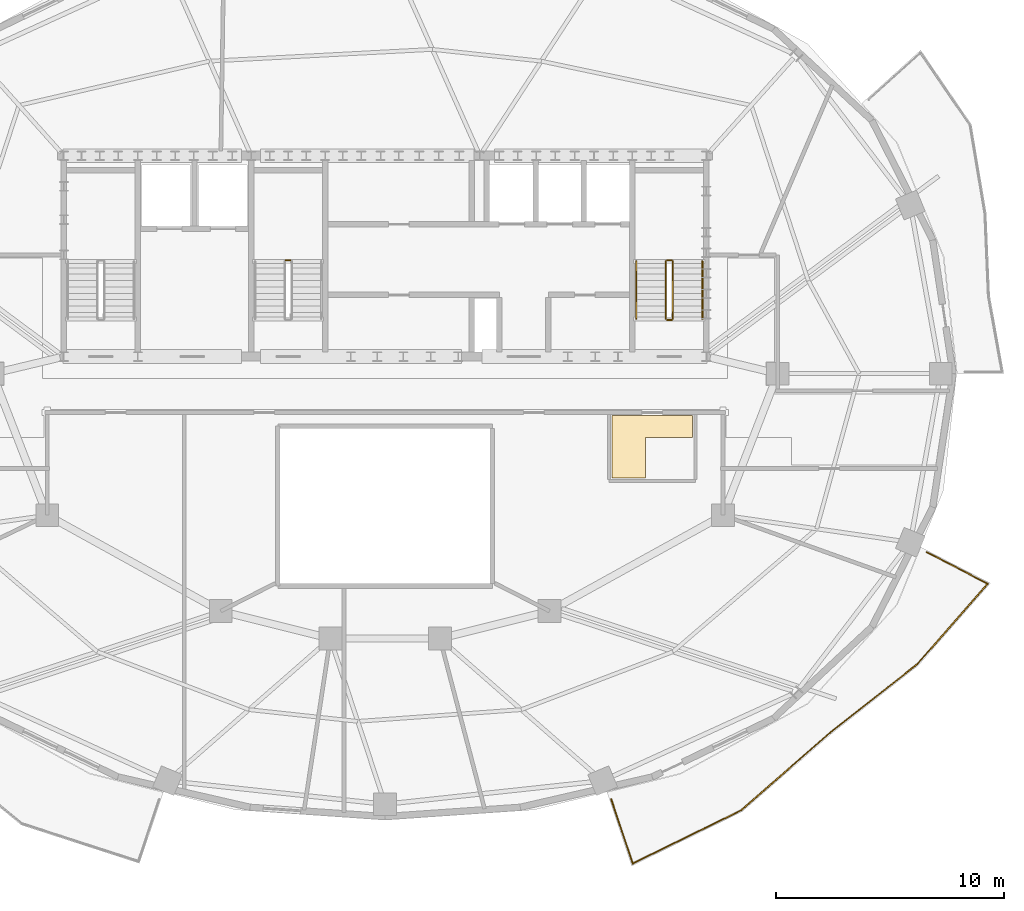
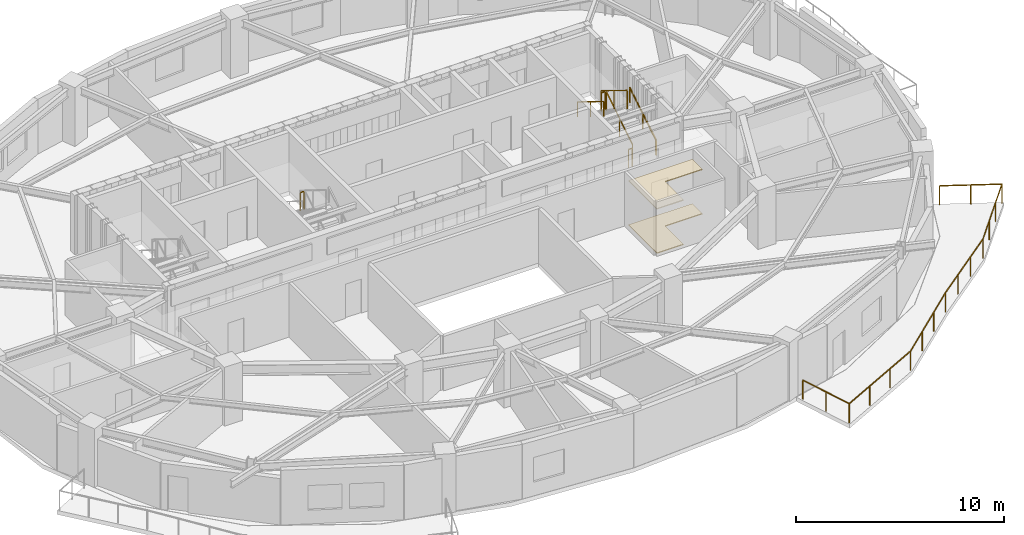
# One storey, part 8 of 9: 8 railings, 2 coverings.
"""IFC4 building model written with IfcOpenShell, lengths in metres."""

import ifcopenshell
import ifcopenshell.guid

model = None  # the IFC model being written
_history = None  # IfcOwnerHistory: only IFC2X3 demands one
_inside = {}  # id of a spatial element -> (the spatial element, [elements in it])
_under = {}  # id of a project, library or spatial element -> (it, [spatial elements below it])
_declared = {}  # id of a project -> (the project, [libraries it declares])
_typed = {}  # id of a type object -> (the type object, [elements of that type])
_made_of = {}  # id of a material, layer set ... -> (it, [elements and type objects made of it])


def new_model(schema):
    """Start an empty IFC model of exactly this schema.

    Asked for "IFC4X3", IfcOpenShell would pick the latest addendum, in which some entities
    have other attributes; the version numbers below select the first issue.
    IFC2X3 requires an IfcOwnerHistory on every rooted entity: one is made here for all.
    """
    global model, _history
    if schema == "IFC4X3":
        model = ifcopenshell.file(schema_version=(4, 3, 0, 0))
    else:
        model = ifcopenshell.file(schema=schema)
    _inside.clear()
    _under.clear()
    _declared.clear()
    _typed.clear()
    _made_of.clear()
    _history = None
    if model.schema == "IFC2X3":
        org = make("IfcOrganization", Name="unknown")
        user = make(
            "IfcPersonAndOrganization",
            ThePerson=make("IfcPerson", FamilyName="unknown"),
            TheOrganization=org,
        )
        app = make(
            "IfcApplication",
            ApplicationDeveloper=org,
            Version="unknown",
            ApplicationFullName="unknown",
            ApplicationIdentifier="unknown",
        )
        _history = make(
            "IfcOwnerHistory",
            OwningUser=user,
            OwningApplication=app,
            ChangeAction="ADDED",
            CreationDate=0,
        )
    return model


def make(cls, **values):
    """One entity of the class cls with the attributes given. An attribute that is None is left unset."""
    return model.create_entity(
        cls, **{name: value for name, value in values.items() if value is not None}
    )


def rooted(cls, **values):
    """An entity with a GlobalId (a new one), such as an element, a storey or a relation."""
    return make(cls, GlobalId=ifcopenshell.guid.new(), OwnerHistory=_history, **values)


def si_unit(unit_type, name, prefix=None):
    """IfcSIUnit, for example si_unit("LENGTHUNIT", "METRE", prefix="MILLI")."""
    return make("IfcSIUnit", UnitType=unit_type, Prefix=prefix, Name=name)


def assignment(units):
    """IfcUnitAssignment: the units of a project."""
    return None if units is None else make("IfcUnitAssignment", Units=units)


def point(xyz):
    """IfcCartesianPoint."""
    return None if xyz is None else make("IfcCartesianPoint", Coordinates=xyz)


def direction(xyz):
    """IfcDirection."""
    return None if xyz is None else make("IfcDirection", DirectionRatios=xyz)


def frame(location, z_axis=None, x_axis=None):
    """IfcAxis2Placement3D, a coordinate frame: its origin and axes. An axis left out is left unset."""
    return make(
        "IfcAxis2Placement3D",
        Location=point(location),
        Axis=direction(z_axis),
        RefDirection=direction(x_axis),
    )


def frame_2d(location, x_axis=None):
    """IfcAxis2Placement2D, a coordinate frame in the plane: its origin and x axis."""
    return make(
        "IfcAxis2Placement2D", Location=point(location), RefDirection=direction(x_axis)
    )


def origin():
    """The frame at (0, 0, 0) with its axes left unset."""
    return frame((0.0, 0.0, 0.0))


def origin_2d():
    """The frame at (0, 0) in the plane with its x axis left unset."""
    return frame_2d((0.0, 0.0))


def place(relative_to, where):
    """IfcLocalPlacement: puts the frame where relative to a parent placement (None: the world)."""
    return make(
        "IfcLocalPlacement", PlacementRelTo=relative_to, RelativePlacement=where
    )


def context(
    kind, dimensions, precision=None, world=None, true_north=None, identifier=None
):
    """IfcGeometricRepresentationContext, for example the 3D "Model" context."""
    return make(
        "IfcGeometricRepresentationContext",
        ContextIdentifier=identifier,
        ContextType=kind,
        CoordinateSpaceDimension=dimensions,
        Precision=precision,
        WorldCoordinateSystem=world,
        TrueNorth=true_north,
    )


def subcontext(parent, identifier, kind, view, scale=None):
    """IfcGeometricRepresentationSubContext, for example "Body" below "Model"."""
    return make(
        "IfcGeometricRepresentationSubContext",
        ContextIdentifier=identifier,
        ContextType=kind,
        ParentContext=parent,
        TargetScale=scale,
        TargetView=view,
    )


def project(units=None, contexts=None):
    """IfcProject with its units and contexts."""
    return rooted(
        "IfcProject",
        Name="project",
        RepresentationContexts=contexts,
        UnitsInContext=assignment(units),
    )


def spatial(cls, under=None, at=None, **own):
    """A site, building, storey or space (cls), placed at a placement, below another one or the project."""
    s = rooted(cls, ObjectPlacement=at, **own)
    if under is not None:
        _under.setdefault(under.id(), (under, []))[1].append(s)
    return s


def polyline(points):
    """IfcPolyline through the points."""
    return make("IfcPolyline", Points=[point(p) for p in points])


def profile(cls, at=None, kind="AREA", **sizes):
    """A parametric profile (cls). Its sizes go by their IFC names, for example OverallWidth=200.0."""
    return make(cls, ProfileType=kind, Position=at, **sizes)


def rectangle(**sizes):
    """IfcRectangleProfileDef."""
    return profile("IfcRectangleProfileDef", **sizes)


def outline(outer, holes=None, kind="AREA"):
    """IfcArbitraryClosedProfileDef: a profile drawn as a closed curve; with holes, ...WithVoids."""
    if holes is None:
        return make("IfcArbitraryClosedProfileDef", ProfileType=kind, OuterCurve=outer)
    return make(
        "IfcArbitraryProfileDefWithVoids",
        ProfileType=kind,
        OuterCurve=outer,
        InnerCurves=holes,
    )


def extrude(swept, where, along, depth):
    """IfcExtrudedAreaSolid: the profile swept, set in the frame where, extruded along a direction by depth."""
    return make(
        "IfcExtrudedAreaSolid",
        SweptArea=swept,
        Position=where,
        ExtrudedDirection=direction(along),
        Depth=depth,
    )


def shape(context_of_items, identifier, shape_type, items):
    """IfcShapeRepresentation: the items that make up one representation, for example the "Body"."""
    return make(
        "IfcShapeRepresentation",
        ContextOfItems=context_of_items,
        RepresentationIdentifier=identifier,
        RepresentationType=shape_type,
        Items=items,
    )


def material(Name=None, Category=None):
    """IfcMaterial."""
    return make("IfcMaterial", Name=Name, Category=Category)


def layer(
    of_material, thickness, ventilated=None, Name=None, Category=None, Priority=None
):
    """IfcMaterialLayer: one layer of a wall or slab, of a material (None: an air gap)."""
    return make(
        "IfcMaterialLayer",
        Material=of_material,
        LayerThickness=thickness,
        IsVentilated=ventilated,
        Name=Name,
        Category=Category,
        Priority=Priority,
    )


def layer_set(layers, Name=None):
    """IfcMaterialLayerSet."""
    return make("IfcMaterialLayerSet", MaterialLayers=layers, LayerSetName=Name)


def made_of(thing, what):
    """Note that an element or type object is made of a material, layer set ...; save() writes the relation."""
    if what is not None:
        _made_of.setdefault(what.id(), (what, []))[1].append(thing)
    return thing


def type_object(cls, material=None, **own):
    """A type object (cls), such as IfcWallType, which elements share."""
    return made_of(rooted(cls, **own), material)


def element(
    cls,
    number,
    at=None,
    inside=None,
    cuts=None,
    type_object=None,
    material=None,
    context=None,
    identifier="Body",
    shape_type=None,
    held_by="IfcProductDefinitionShape",
    body=None,
    shapes=None,
    **own,
):
    """One element of the class cls, such as IfcWall. Its Tag is "e" and its number.

    at: its placement. inside: the storey or other place that contains it. cuts: it is an
    opening in that element (IfcRelVoidsElement). A single representation is given by context,
    identifier, shape_type and body (its items); several are given by shapes. held_by: the class
    of the entity that holds the representations. save() writes the other relations.
    """
    e = rooted(cls, Tag="e%d" % number, ObjectPlacement=at, **own)
    if body is not None:
        shapes = [shape(context, identifier, shape_type, body)]
    if shapes is not None:
        e.Representation = make(held_by, Representations=shapes)
    if inside is not None:
        _inside.setdefault(inside.id(), (inside, []))[1].append(e)
    if cuts is not None:
        rooted(
            "IfcRelVoidsElement", RelatingBuildingElement=cuts, RelatedOpeningElement=e
        )
    if type_object is not None:
        _typed.setdefault(type_object.id(), (type_object, []))[1].append(e)
    return made_of(e, material)


def aggregate(whole, parts):
    """IfcRelAggregates: a whole, such as a stair, and the parts it consists of."""
    return rooted("IfcRelAggregates", RelatingObject=whole, RelatedObjects=parts)


def save(model, path):
    """Write the relations noted so far, then the file.

    IfcRelAggregates (storeys below a building ...), IfcRelContainedInSpatialStructure (elements
    in a storey), IfcRelDefinesByType, IfcRelAssociatesMaterial and IfcRelDeclares: one each for
    every whole, place, type object, material and project.
    """
    for whole, parts in _under.values():
        aggregate(whole, parts)
    for where, things in _inside.values():
        rooted(
            "IfcRelContainedInSpatialStructure",
            RelatedElements=things,
            RelatingStructure=where,
        )
    for kind, things in _typed.values():
        rooted("IfcRelDefinesByType", RelatedObjects=things, RelatingType=kind)
    for what, things in _made_of.values():
        rooted("IfcRelAssociatesMaterial", RelatedObjects=things, RelatingMaterial=what)
    for by, libraries in _declared.values():
        rooted("IfcRelDeclares", RelatingContext=by, RelatedDefinitions=libraries)
    model.write(path)


model = new_model("IFC4")

# Units and contexts
model_context = context("Model", 3, precision=1e-05, world=origin(), true_north=direction((0.0, 1.0)))
body_context = subcontext(model_context, "Body", "Model", "MODEL_VIEW")
ifc_project = project(units=[si_unit("LENGTHUNIT", "METRE"), si_unit("AREAUNIT", "SQUARE_METRE"), si_unit("VOLUMEUNIT", "CUBIC_METRE"), si_unit("PLANEANGLEUNIT", "RADIAN"), si_unit("MASSUNIT", "GRAM", prefix="KILO")], contexts=[model_context])

# Site, building, storey
site_placement = place(None, origin())
site = spatial("IfcSite", under=ifc_project, at=site_placement, CompositionType="ELEMENT")
building_placement = place(site_placement, origin())
building = spatial("IfcBuilding", under=site, at=building_placement, Name="Haldorwick Loom Tower", CompositionType="ELEMENT")
storey_placement = place(building_placement, frame((0.0, 0.0, 252.300048828125)))
storey = spatial("IfcBuildingStorey", under=building, at=storey_placement, Name="L68", CompositionType="ELEMENT", Elevation=252.300048828125)

# Coverings
ifc_material_1 = material(Name="Mineral Fibre Acoustic Ceiling Tile")
ifc_layer_1 = layer(ifc_material_1, 0.054931640625, Name="Mineral Fibre Acoustic Ceiling Tile")
ifc_layer_set_1 = layer_set([ifc_layer_1], Name="Mineral Fibre Acoustic Ceiling Tile")
covering_type_1 = type_object("IfcCoveringType", Name="ARC-COV-CEIL2", PredefinedType="CEILING", material=ifc_layer_set_1)
covering_1_placement = place(storey_placement, frame((0.0, 0.0, 2.594970703125)))
element("IfcCovering", 1, at=covering_1_placement, inside=storey, type_object=covering_type_1, Name="L68 Acoustic Suspended Ceiling 2", PredefinedType="CEILING", context=body_context, shape_type="SweptSolid", body=[
    extrude(outline(polyline([(45.929931640625, 21.429931640625), (47.39990234375, 21.429931640625), (47.39990234375, 23.199951171875), (49.469970703125, 23.199951171875), (49.469970703125, 24.159912109375), (45.929931640625, 24.159912109375), (45.929931640625, 21.429931640625)])), origin(), (0.0, 0.0, 1.0), 0.054931640625),
])
ifc_material_2 = material(Name="Polished Aggregate Terrazzo Finish")
ifc_layer_2 = layer(ifc_material_2, 0.044921875, Name="Polished Aggregate Terrazzo Finish")
ifc_layer_set_2 = layer_set([ifc_layer_2], Name="Polished Aggregate Terrazzo Finish")
covering_type_2 = type_object("IfcCoveringType", Name="ARC-COV-FLOOR2", PredefinedType="FLOORING", material=ifc_layer_set_2)
covering_2_placement = place(storey_placement, origin())
element("IfcCovering", 2, at=covering_2_placement, inside=storey, type_object=covering_type_2, Name="L68 Floor Finish 2", PredefinedType="FLOORING", context=body_context, shape_type="SweptSolid", body=[
    extrude(outline(polyline([(45.929931640625, 21.429931640625), (47.39990234375, 21.429931640625), (47.39990234375, 23.199951171875), (49.469970703125, 23.199951171875), (49.469970703125, 24.159912109375), (45.929931640625, 24.159912109375), (45.929931640625, 21.429931640625)])), origin(), (0.0, 0.0, 1.0), 0.044921875),
])

# Railings
ifc_material_3 = material(Name="Galvanized Steel CSA G40.21 350W", Category="steel")
railing_type_1 = type_object("IfcRailingType", Name="ARC-RLG-BAL115", PredefinedType="BALUSTRADE", material=ifc_material_3)
railing_1_placement = place(storey_placement, frame((59.727783203125, 18.17724609375, 0.0)))
element("IfcRailing", 3, at=railing_1_placement, inside=storey, type_object=railing_type_1, Name="L68 Outdoor Terrace Guardrail SLB-L68-BAL_SE-1", PredefinedType="BALUSTRADE", context=body_context, shape_type="SweptSolid", body=[
    extrude(rectangle(XDim=0.048095703125, YDim=0.048095703125, at=origin_2d()), frame((0.0, 0.0, 1.1259765625), z_axis=(0.888528692081, -0.458821058093, 0.0), x_axis=(0.458821058093, 0.888528692081, 0.0)), (0.0, 0.0, 1.0), 3.002197265625),
    extrude(rectangle(XDim=0.048095703125, YDim=0.048095703125, at=origin_2d()), frame((2.66748046875, -1.37744140625, 1.1259765625), z_axis=(-0.658947524651, -0.75218891228, 0.0), x_axis=(0.75218891228, -0.658947524651, 0.0)), (0.0, 0.0, 1.0), 4.681640625),
    extrude(rectangle(XDim=0.048095703125, YDim=0.048095703125, at=origin_2d()), frame((-0.41748046875, -4.89892578125, 1.1259765625), z_axis=(-0.786142130795, -0.618045750887, 0.0), x_axis=(0.618045750887, -0.786142130795, 0.0)), (0.0, 0.0, 1.0), 4.856689453125),
    extrude(rectangle(XDim=0.048095703125, YDim=0.048095703125, at=origin_2d()), frame((-4.235595703125, -7.900634765625, 1.1259765625), z_axis=(-0.763386285369, -0.645942241466, 0.0), x_axis=(0.645942241466, -0.763386285369, 0.0)), (0.0, 0.0, 1.0), 0.004150390625),
    extrude(rectangle(XDim=0.048095703125, YDim=0.048095703125, at=origin_2d()), frame((-4.23876953125, -7.9033203125, 1.1259765625), z_axis=(-0.753589494312, -0.657345323299, 0.0), x_axis=(0.657345323299, -0.753589494312, 0.0)), (0.0, 0.0, 1.0), 5.162109375),
    extrude(rectangle(XDim=0.048095703125, YDim=0.048095703125, at=origin_2d()), frame((-8.12890625, -11.296630859375, 1.1259765625), z_axis=(-0.897365820066, -0.441287417652, 0.0), x_axis=(0.441287417652, -0.897365820066, 0.0)), (0.0, 0.0, 1.0), 5.29833984375),
    extrude(rectangle(XDim=0.048095703125, YDim=0.048095703125, at=origin_2d()), frame((-12.883544921875, -13.634765625, 1.1259765625), z_axis=(-0.316571845047, 0.948568535702, 0.0), x_axis=(-0.948568535702, -0.316571845047, 0.0)), (0.0, 0.0, 1.0), 2.97998046875),
    extrude(rectangle(XDim=0.0419921875, YDim=0.0419921875, at=origin_2d()), origin(), (0.0, 0.0, 1.0), 1.101806640625),
    extrude(rectangle(XDim=0.0419921875, YDim=0.0419921875, at=origin_2d()), frame((1.333740234375, -0.688720703125, 0.0)), (0.0, 0.0, 1.0), 1.101806640625),
    extrude(rectangle(XDim=0.0419921875, YDim=0.0419921875, at=origin_2d()), frame((2.66748046875, -1.37744140625, 0.0)), (0.0, 0.0, 1.0), 1.101806640625),
    extrude(rectangle(XDim=0.0419921875, YDim=0.0419921875, at=origin_2d()), frame((1.63916015625, -2.55126953125, 0.0)), (0.0, 0.0, 1.0), 1.101806640625),
    extrude(rectangle(XDim=0.0419921875, YDim=0.0419921875, at=origin_2d()), frame((0.61083984375, -3.72509765625, 0.0)), (0.0, 0.0, 1.0), 1.101806640625),
    extrude(rectangle(XDim=0.0419921875, YDim=0.0419921875, at=origin_2d()), frame((-0.41748046875, -4.89892578125, 0.0)), (0.0, 0.0, 1.0), 1.101806640625),
    extrude(rectangle(XDim=0.0419921875, YDim=0.0419921875, at=origin_2d()), frame((-1.690185546875, -5.8994140625, 0.0)), (0.0, 0.0, 1.0), 1.101806640625),
    extrude(rectangle(XDim=0.0419921875, YDim=0.0419921875, at=origin_2d()), frame((-2.962890625, -6.900146484375, 0.0)), (0.0, 0.0, 1.0), 1.101806640625),
    extrude(rectangle(XDim=0.0419921875, YDim=0.0419921875, at=origin_2d()), frame((-4.235595703125, -7.900634765625, 0.0)), (0.0, 0.0, 1.0), 1.101806640625),
    extrude(rectangle(XDim=0.0419921875, YDim=0.0419921875, at=origin_2d()), frame((-5.535400390625, -9.034423828125, 0.0)), (0.0, 0.0, 1.0), 1.101806640625),
    extrude(rectangle(XDim=0.0419921875, YDim=0.0419921875, at=origin_2d()), frame((-6.832275390625, -10.16552734375, 0.0)), (0.0, 0.0, 1.0), 1.101806640625),
    extrude(rectangle(XDim=0.0419921875, YDim=0.0419921875, at=origin_2d()), frame((-8.12890625, -11.296630859375, 0.0)), (0.0, 0.0, 1.0), 1.101806640625),
    extrude(rectangle(XDim=0.0419921875, YDim=0.0419921875, at=origin_2d()), frame((-9.7138671875, -12.075927734375, 0.0)), (0.0, 0.0, 1.0), 1.101806640625),
    extrude(rectangle(XDim=0.0419921875, YDim=0.0419921875, at=origin_2d()), frame((-11.298583984375, -12.85546875, 0.0)), (0.0, 0.0, 1.0), 1.101806640625),
    extrude(rectangle(XDim=0.0419921875, YDim=0.0419921875, at=origin_2d()), frame((-12.883544921875, -13.634765625, 0.0)), (0.0, 0.0, 1.0), 1.101806640625),
    extrude(rectangle(XDim=0.0419921875, YDim=0.0419921875, at=origin_2d()), frame((-13.355224609375, -12.221435546875, 0.0)), (0.0, 0.0, 1.0), 1.101806640625),
    extrude(rectangle(XDim=0.0419921875, YDim=0.0419921875, at=origin_2d()), frame((-13.826904296875, -10.80810546875, 0.0)), (0.0, 0.0, 1.0), 1.101806640625),
])
ifc_material_4 = material(Name="Steel CSA G40.21 350W", Category="steel")
railing_type_2 = type_object("IfcRailingType", Name="ARC-RLG-GUARD112", PredefinedType="GUARDRAIL", material=ifc_material_4)
railing_2_placement = place(storey_placement, frame((48.60009765625, 28.39990234375, 0.17236328125)))
element("IfcRailing", 4, at=railing_2_placement, inside=storey, type_object=railing_type_2, Name="L68 ST-02 stair guard 1", PredefinedType="GUARDRAIL", context=body_context, shape_type="SweptSolid", body=[
    extrude(rectangle(XDim=0.048095703125, YDim=0.048095703125, at=origin_2d()), frame((0.0, 0.0, 1.076171875), z_axis=(0.0, 0.851400495292, 0.524516154772), x_axis=(-1.0, 0.0, 0.0)), (0.0, 0.0, 1.0), 2.9599609375),
    extrude(rectangle(XDim=0.0419921875, YDim=0.0419921875, at=origin_2d()), origin(), (0.0, 0.0, 1.0), 1.052001953125),
    extrude(rectangle(XDim=0.0419921875, YDim=0.0419921875, at=origin_2d()), frame((0.0, 1.260009765625, 0.7763671875)), (0.0, 0.0, 1.0), 1.052001953125),
    extrude(rectangle(XDim=0.0419921875, YDim=0.0419921875, at=origin_2d()), frame((0.0, 2.52001953125, 1.552490234375)), (0.0, 0.0, 1.0), 1.052001953125),
])
railing_3_placement = place(storey_placement, frame((48.550048828125, 30.969970703125, 1.724853515625)))
element("IfcRailing", 5, at=railing_3_placement, inside=storey, type_object=railing_type_2, Name="L68 ST-02 stair guard 2", PredefinedType="GUARDRAIL", context=body_context, shape_type="SweptSolid", body=[
    extrude(rectangle(XDim=0.048095703125, YDim=0.048095703125, at=origin_2d()), frame((0.0, 0.0, 1.076171875), z_axis=(-1.0, 0.0, 0.0), x_axis=(0.0, -1.0, 0.0)), (0.0, 0.0, 1.0), 0.199951171875),
    extrude(rectangle(XDim=0.0419921875, YDim=0.0419921875, at=origin_2d()), origin(), (0.0, 0.0, 1.0), 1.052001953125),
    extrude(rectangle(XDim=0.0419921875, YDim=0.0419921875, at=origin_2d()), frame((-0.199951171875, 0.0, 0.0)), (0.0, 0.0, 1.0), 1.052001953125),
])
railing_4_placement = place(storey_placement, frame((48.300048828125, 30.919921875, 1.8974609375)))
element("IfcRailing", 6, at=railing_4_placement, inside=storey, type_object=railing_type_2, Name="L68 ST-02 stair guard 3", PredefinedType="GUARDRAIL", context=body_context, shape_type="SweptSolid", body=[
    extrude(rectangle(XDim=0.048095703125, YDim=0.048095703125, at=origin_2d()), frame((0.0, 0.0, 1.076171875), z_axis=(0.0, -0.851400495292, 0.524516154772), x_axis=(1.0, 0.0, 0.0)), (0.0, 0.0, 1.0), 2.9599609375),
    extrude(rectangle(XDim=0.0419921875, YDim=0.0419921875, at=origin_2d()), origin(), (0.0, 0.0, 1.0), 1.052001953125),
    extrude(rectangle(XDim=0.0419921875, YDim=0.0419921875, at=origin_2d()), frame((0.0, -1.260009765625, 0.7763671875)), (0.0, 0.0, 1.0), 1.052001953125),
    extrude(rectangle(XDim=0.0419921875, YDim=0.0419921875, at=origin_2d()), frame((0.0, -2.52001953125, 1.552490234375)), (0.0, 0.0, 1.0), 1.052001953125),
])
railing_5_placement = place(storey_placement, frame((48.550048828125, 28.35009765625, 0.0)))
element("IfcRailing", 7, at=railing_5_placement, inside=storey, type_object=railing_type_2, Name="L68 ST-02 stair guard 4", PredefinedType="GUARDRAIL", context=body_context, shape_type="SweptSolid", body=[
    extrude(rectangle(XDim=0.048095703125, YDim=0.048095703125, at=origin_2d()), frame((0.0, 0.0, 1.076171875), z_axis=(-1.0, 0.0, 0.0), x_axis=(0.0, -1.0, 0.0)), (0.0, 0.0, 1.0), 0.199951171875),
    extrude(rectangle(XDim=0.0419921875, YDim=0.0419921875, at=origin_2d()), origin(), (0.0, 0.0, 1.0), 1.052001953125),
    extrude(rectangle(XDim=0.0419921875, YDim=0.0419921875, at=origin_2d()), frame((-0.199951171875, 0.0, 0.0)), (0.0, 0.0, 1.0), 1.052001953125),
])
railing_6_placement = place(storey_placement, frame((31.85009765625, 30.969970703125, 1.724853515625)))
element("IfcRailing", 8, at=railing_6_placement, inside=storey, type_object=railing_type_2, Name="L68 ST-03 stair guard 2", PredefinedType="GUARDRAIL", context=body_context, shape_type="SweptSolid", body=[
    extrude(rectangle(XDim=0.048095703125, YDim=0.048095703125, at=origin_2d()), frame((0.0, 0.0, 1.076171875), z_axis=(-1.0, 0.0, 0.0), x_axis=(0.0, -1.0, 0.0)), (0.0, 0.0, 1.0), 0.2001953125),
    extrude(rectangle(XDim=0.0419921875, YDim=0.0419921875, at=origin_2d()), origin(), (0.0, 0.0, 1.0), 1.052001953125),
    extrude(rectangle(XDim=0.0419921875, YDim=0.0419921875, at=origin_2d()), frame((-0.2001953125, 0.0, 0.0)), (0.0, 0.0, 1.0), 1.052001953125),
])
railing_type_3 = type_object("IfcRailingType", Name="ARC-RLG-HAND092", PredefinedType="HANDRAIL", material=ifc_material_4)
railing_7_placement = place(storey_placement, frame((49.89990234375, 28.39990234375, 0.17236328125)))
element("IfcRailing", 9, at=railing_7_placement, inside=storey, type_object=railing_type_3, Name="L68 ST-02 stair handrail 1", PredefinedType="HANDRAIL", context=body_context, shape_type="SweptSolid", body=[
    extrude(rectangle(XDim=0.048095703125, YDim=0.048095703125, at=origin_2d()), frame((0.0, 0.0, 0.8759765625), z_axis=(0.0, 0.851400495292, 0.524516154772), x_axis=(-1.0, 0.0, 0.0)), (0.0, 0.0, 1.0), 2.9599609375),
    extrude(rectangle(XDim=0.0419921875, YDim=0.0419921875, at=origin_2d()), origin(), (0.0, 0.0, 1.0), 0.851806640625),
    extrude(rectangle(XDim=0.0419921875, YDim=0.0419921875, at=origin_2d()), frame((0.0, 1.260009765625, 0.7763671875)), (0.0, 0.0, 1.0), 0.851806640625),
    extrude(rectangle(XDim=0.0419921875, YDim=0.0419921875, at=origin_2d()), frame((0.0, 2.52001953125, 1.552490234375)), (0.0, 0.0, 1.0), 0.851806640625),
])
railing_8_placement = place(storey_placement, frame((47.0, 30.919921875, 1.8974609375)))
element("IfcRailing", 10, at=railing_8_placement, inside=storey, type_object=railing_type_3, Name="L68 ST-02 stair handrail 2", PredefinedType="HANDRAIL", context=body_context, shape_type="SweptSolid", body=[
    extrude(rectangle(XDim=0.048095703125, YDim=0.048095703125, at=origin_2d()), frame((0.0, 0.0, 0.8759765625), z_axis=(0.0, -0.851400495292, 0.524516154772), x_axis=(1.0, 0.0, 0.0)), (0.0, 0.0, 1.0), 2.9599609375),
    extrude(rectangle(XDim=0.0419921875, YDim=0.0419921875, at=origin_2d()), origin(), (0.0, 0.0, 1.0), 0.851806640625),
    extrude(rectangle(XDim=0.0419921875, YDim=0.0419921875, at=origin_2d()), frame((0.0, -1.260009765625, 0.7763671875)), (0.0, 0.0, 1.0), 0.851806640625),
    extrude(rectangle(XDim=0.0419921875, YDim=0.0419921875, at=origin_2d()), frame((0.0, -2.52001953125, 1.552490234375)), (0.0, 0.0, 1.0), 0.851806640625),
])

save(model, "model.ifc")
